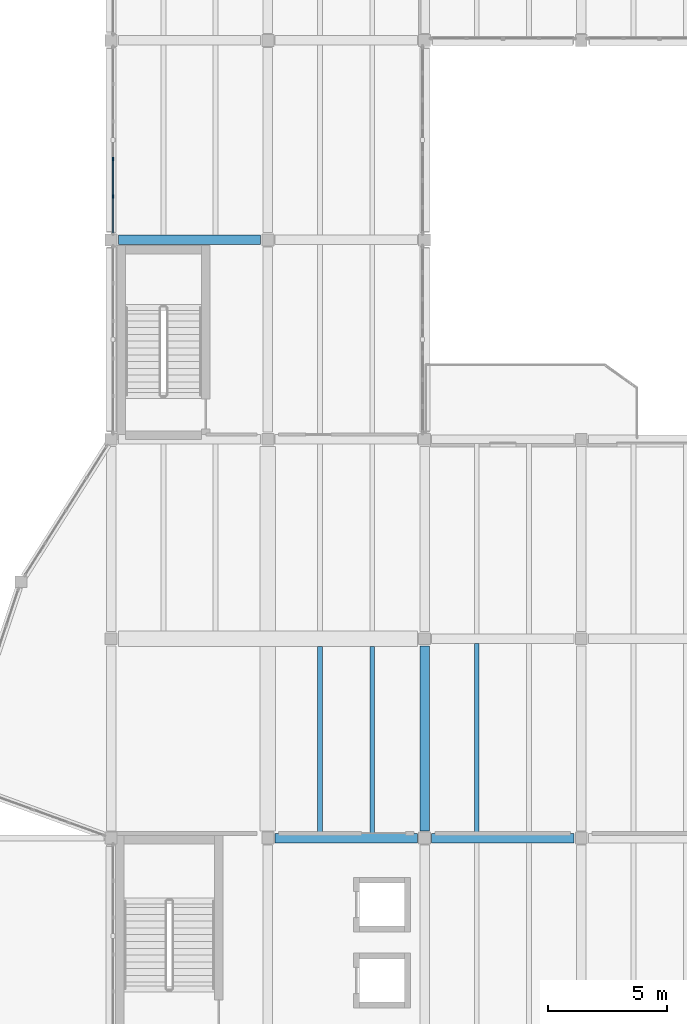
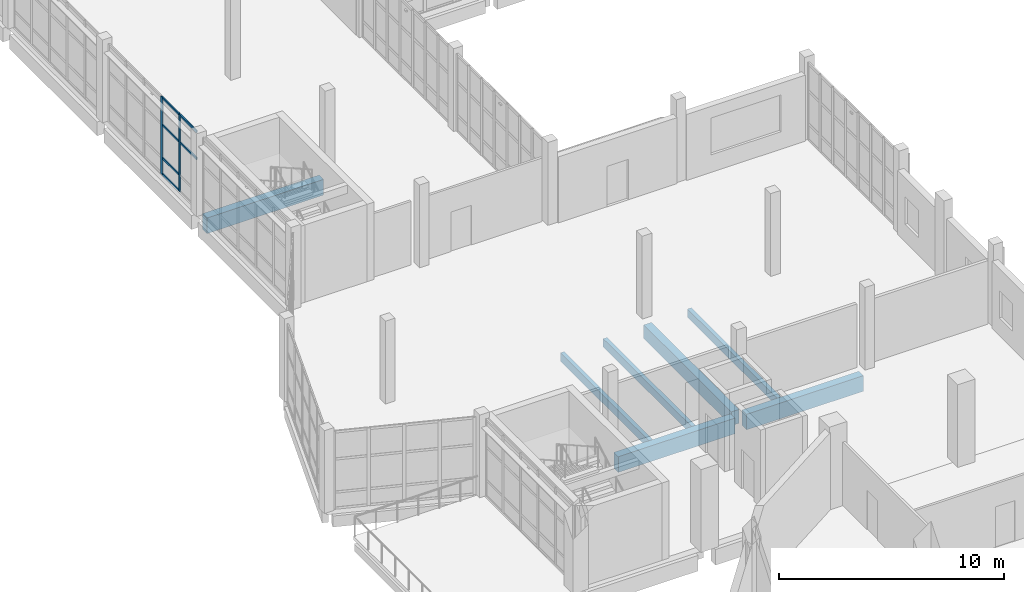
# One storey, part 27 of 83: 8 members, 7 beams, 1 element without a shape of its own.
"""IFC4 building model written with IfcOpenShell, lengths in metres."""

from ifc_helpers import new_model, si_unit, direction, frame, origin, origin_2d, place, context, subcontext, project, spatial, rectangle, extrude, material, material_profile, profile_set, type_object, element, aggregate, save


model = new_model("IFC4")

# Units and contexts
model_context = context("Model", 3, precision=1e-05, world=origin(), true_north=direction((0.0, 1.0)))
body_context = subcontext(model_context, "Body", "Model", "MODEL_VIEW")
ifc_project = project(units=[si_unit("LENGTHUNIT", "METRE"), si_unit("AREAUNIT", "SQUARE_METRE"), si_unit("VOLUMEUNIT", "CUBIC_METRE"), si_unit("PLANEANGLEUNIT", "RADIAN"), si_unit("MASSUNIT", "GRAM", prefix="KILO")], contexts=[model_context])

# Site, building, storey
site_placement = place(None, origin())
site = spatial("IfcSite", under=ifc_project, at=site_placement, CompositionType="ELEMENT")
building_placement = place(site_placement, origin())
building = spatial("IfcBuilding", under=site, at=building_placement, Name="Qaldarim Faculty of Natural and Applied Sciences", CompositionType="ELEMENT")
storey_placement = place(building_placement, frame((0.0, 0.0, 5.39990234375)))
storey = spatial("IfcBuildingStorey", under=building, at=storey_placement, Name="L01", CompositionType="ELEMENT", Elevation=5.39990234375)

# Beams
ifc_material_1 = material(Name="Concrete C50/60", Category="concrete")
ifc_material_profile_1 = material_profile(ifc_material_1, rectangle(XDim=0.39990234375, YDim=0.75, at=origin_2d()), Name="RC-B400x750")
ifc_profile_set_1 = profile_set([ifc_material_profile_1], Name="Concrete C50/60")
beam_type_1 = type_object("IfcBeamType", Name="LabGirder-RC400x750", PredefinedType="BEAM", material=ifc_profile_set_1)
beam_1_placement = place(storey_placement, frame((165.0, 67.5, -0.6748046875), z_axis=(0.0, 1.0, 0.0), x_axis=(-1.0, 0.0, 0.0)))
element("IfcBeam", 1, at=beam_1_placement, inside=storey, type_object=beam_type_1, Name="Beam RC-B400x750 L00 X26/Y09-Y10", PredefinedType="BEAM", context=body_context, shape_type="SweptSolid", body=[
    extrude(rectangle(XDim=0.39990234375, YDim=0.75, at=origin_2d()), origin(), (0.0, 0.0, 1.0), 7.800048828125),
])
ifc_material_2 = material(Name="Concrete C40/50", Category="concrete")
ifc_material_profile_2 = material_profile(ifc_material_2, rectangle(XDim=0.199951171875, YDim=0.449951171875, at=origin_2d()), Name="RC-J200x450")
ifc_profile_set_2 = profile_set([ifc_material_profile_2], Name="Concrete C40/50")
beam_type_2 = type_object("IfcBeamType", Name="LabJoist-RC200x450", PredefinedType="JOIST", material=ifc_profile_set_2)
for number, where, z_axis, x_axis, name in (
    (2, (160.60009765625, 67.39990234375, -0.52490234375), (0.0, 1.0, 0.0), (-1.0, 0.0, 0.0), "Laboratory joist L00 bay X25Y09-1"),
    (3, (162.800048828125, 67.39990234375, -0.52490234375), (0.0, 1.0, 0.0), (-1.0, 0.0, 0.0), "Laboratory joist L00 bay X25Y09-2"),
):
    element("IfcBeam", number, at=place(storey_placement, frame(where, z_axis=z_axis, x_axis=x_axis)), inside=storey, type_object=beam_type_2, Name=name, PredefinedType="JOIST", context=body_context, shape_type="SweptSolid", body=[
        extrude(rectangle(XDim=0.199951171875, YDim=0.449951171875, at=origin_2d()), origin(), (0.0, 0.0, 1.0), 7.875),
    ])
beam_2_placement = place(storey_placement, frame((167.199951171875, 67.39990234375, -0.52490234375), z_axis=(0.0, 1.0, 0.0), x_axis=(-1.0, 0.0, 0.0)))
element("IfcBeam", 4, at=beam_2_placement, inside=storey, type_object=beam_type_2, Name="Laboratory joist L00 bay X26Y09-1", PredefinedType="JOIST", context=body_context, shape_type="SweptSolid", body=[
    extrude(rectangle(XDim=0.199951171875, YDim=0.449951171875, at=origin_2d()), origin(), (0.0, 0.0, 1.0), 8.0),
])

# Curtain wall, members
ifc_material_3 = material(Name="Anodised aluminium AW-6063", Category="aluminium")
curtain_wall_type = type_object("IfcCurtainWallType", Name="CurtainWallSystem-M1600", PredefinedType="USERDEFINED", material=ifc_material_3)
curtain_wall_placement = place(storey_placement, origin())
curtain_wall = element("IfcCurtainWall", 5, at=curtain_wall_placement, inside=storey, type_object=curtain_wall_type, Name="Curtain wall CW-L01-W-X24Y12", ObjectType="UNITISED FACADE", PredefinedType="USERDEFINED")
ifc_material_profile_3 = material_profile(ifc_material_3, rectangle(XDim=0.06005859375, YDim=0.14990234375, at=origin_2d()), Name="ALU-M60x150")
ifc_profile_set_3 = profile_set([ifc_material_profile_3], Name="Anodised aluminium AW-6063")
member_type_1 = type_object("IfcMemberType", Name="Mullion-ALU60x150", PredefinedType="MULLION", material=ifc_profile_set_3)
member_1_placement = place(storey_placement, frame((151.8798828125, 95.80908203125, 0.0), z_axis=(0.0, 0.0, 1.0), x_axis=(1.0, 0.0, 0.0)))
member_1 = element("IfcMember", 6, at=member_1_placement, type_object=member_type_1, Name="Mullion 4 of CW-L01-W-X24Y12", PredefinedType="MULLION", context=body_context, shape_type="SweptSolid", body=[
    extrude(rectangle(XDim=0.06005859375, YDim=0.14990234375, at=origin_2d()), origin(), (0.0, 0.0, 1.0), 4.2001953125),
])
member_2_placement = place(storey_placement, frame((151.8798828125, 94.22705078125, 0.0), z_axis=(0.0, 0.0, 1.0), x_axis=(1.0, 0.0, 0.0)))
member_2 = element("IfcMember", 7, at=member_2_placement, type_object=member_type_1, Name="Mullion 5 of CW-L01-W-X24Y12", PredefinedType="MULLION", context=body_context, shape_type="SweptSolid", body=[
    extrude(rectangle(XDim=0.06005859375, YDim=0.14990234375, at=origin_2d()), origin(), (0.0, 0.0, 1.0), 4.2001953125),
])

# Beams
ifc_material_profile_4 = material_profile(ifc_material_1, rectangle(XDim=0.39990234375, YDim=0.85009765625, at=origin_2d()), Name="RC-B400x850")
ifc_profile_set_4 = profile_set([ifc_material_profile_4], Name="Concrete C50/60")
beam_type_3 = type_object("IfcBeamType", Name="PodiumGirder-RC400x850", PredefinedType="BEAM", material=ifc_profile_set_4)
for number, where, z_axis, x_axis, name in (
    (8, (158.699951171875, 67.199951171875, -0.724853515625), (1.0, 0.0, 0.0), (0.0, 1.0, 0.0), "Beam RC-B400x850 L00 X25-X26/Y09"),
    (9, (165.300048828125, 67.199951171875, -0.724853515625), (1.0, 0.0, 0.0), (0.0, 1.0, 0.0), "Beam RC-B400x850 L00 X26-X27/Y09"),
    (10, (152.10009765625, 92.39990234375, -0.724853515625), (1.0, 0.0, 0.0), (0.0, 1.0, 0.0), "Beam RC-B400x850 L00 X24-X25/Y12"),
):
    element("IfcBeam", number, at=place(storey_placement, frame(where, z_axis=z_axis, x_axis=x_axis)), inside=storey, type_object=beam_type_3, Name=name, PredefinedType="BEAM", context=body_context, shape_type="SweptSolid", body=[
        extrude(rectangle(XDim=0.39990234375, YDim=0.85009765625, at=origin_2d()), origin(), (0.0, 0.0, 1.0), 6.0),
    ])

# Member
ifc_material_profile_5 = material_profile(ifc_material_3, rectangle(XDim=0.06005859375, YDim=0.1201171875, at=origin_2d()), Name="ALU-T60x120")
ifc_profile_set_5 = profile_set([ifc_material_profile_5], Name="Anodised aluminium AW-6063")
member_type_2 = type_object("IfcMemberType", Name="Transom-ALU60x120", PredefinedType="USERDEFINED", material=ifc_profile_set_5)
member_3_placement = place(storey_placement, frame((151.8798828125, 95.779052734375, 0.030029296875), z_axis=(0.0, -1.0, 0.0), x_axis=(1.0, 0.0, 0.0)))
member_3 = element("IfcMember", 11, at=member_3_placement, type_object=member_type_2, Name="Transom 4-1 of CW-L01-W-X24Y12", ObjectType="TRANSOM", PredefinedType="USERDEFINED", context=body_context, shape_type="SweptSolid", body=[
    extrude(rectangle(XDim=0.06005859375, YDim=0.1201171875, at=origin_2d()), origin(), (0.0, 0.0, 1.0), 1.52197265625),
])

member_4_placement = place(storey_placement, frame((151.8798828125, 95.779052734375, 0.900146484375), z_axis=(0.0, -1.0, 0.0), x_axis=(1.0, 0.0, 0.0)))
member_4 = element("IfcMember", 12, at=member_4_placement, type_object=member_type_2, Name="Transom 4-2 of CW-L01-W-X24Y12", ObjectType="TRANSOM", PredefinedType="USERDEFINED", context=body_context, shape_type="SweptSolid", body=[
    extrude(rectangle(XDim=0.06005859375, YDim=0.1201171875, at=origin_2d()), origin(), (0.0, 0.0, 1.0), 1.52197265625),
])

member_5_placement = place(storey_placement, frame((151.8798828125, 95.779052734375, 2.7001953125), z_axis=(0.0, -1.0, 0.0), x_axis=(1.0, 0.0, 0.0)))
member_5 = element("IfcMember", 13, at=member_5_placement, type_object=member_type_2, Name="Transom 4-3 of CW-L01-W-X24Y12", ObjectType="TRANSOM", PredefinedType="USERDEFINED", context=body_context, shape_type="SweptSolid", body=[
    extrude(rectangle(XDim=0.06005859375, YDim=0.1201171875, at=origin_2d()), origin(), (0.0, 0.0, 1.0), 1.52197265625),
])

member_6_placement = place(storey_placement, frame((151.8798828125, 95.779052734375, 4.170166015625), z_axis=(0.0, -1.0, 0.0), x_axis=(1.0, 0.0, 0.0)))
member_6 = element("IfcMember", 14, at=member_6_placement, type_object=member_type_2, Name="Transom 4-4 of CW-L01-W-X24Y12", ObjectType="TRANSOM", PredefinedType="USERDEFINED", context=body_context, shape_type="SweptSolid", body=[
    extrude(rectangle(XDim=0.06005859375, YDim=0.1201171875, at=origin_2d()), origin(), (0.0, 0.0, 1.0), 1.52197265625),
])

member_7_placement = place(storey_placement, frame((151.8798828125, 94.197021484375, 2.7001953125), z_axis=(0.0, -1.0, 0.0), x_axis=(1.0, 0.0, 0.0)))
member_7 = element("IfcMember", 15, at=member_7_placement, type_object=member_type_2, Name="Transom 5-3 of CW-L01-W-X24Y12", ObjectType="TRANSOM", PredefinedType="USERDEFINED", context=body_context, shape_type="SweptSolid", body=[
    extrude(rectangle(XDim=0.06005859375, YDim=0.1201171875, at=origin_2d()), origin(), (0.0, 0.0, 1.0), 1.491943359375),
])

member_8_placement = place(storey_placement, frame((151.8798828125, 94.197021484375, 4.170166015625), z_axis=(0.0, -1.0, 0.0), x_axis=(1.0, 0.0, 0.0)))
member_8 = element("IfcMember", 16, at=member_8_placement, type_object=member_type_2, Name="Transom 5-4 of CW-L01-W-X24Y12", ObjectType="TRANSOM", PredefinedType="USERDEFINED", context=body_context, shape_type="SweptSolid", body=[
    extrude(rectangle(XDim=0.06005859375, YDim=0.1201171875, at=origin_2d()), origin(), (0.0, 0.0, 1.0), 1.491943359375),
])

aggregate(curtain_wall, [member_1, member_2, member_3, member_4, member_5, member_6, member_7, member_8])

save(model, "model.ifc")
